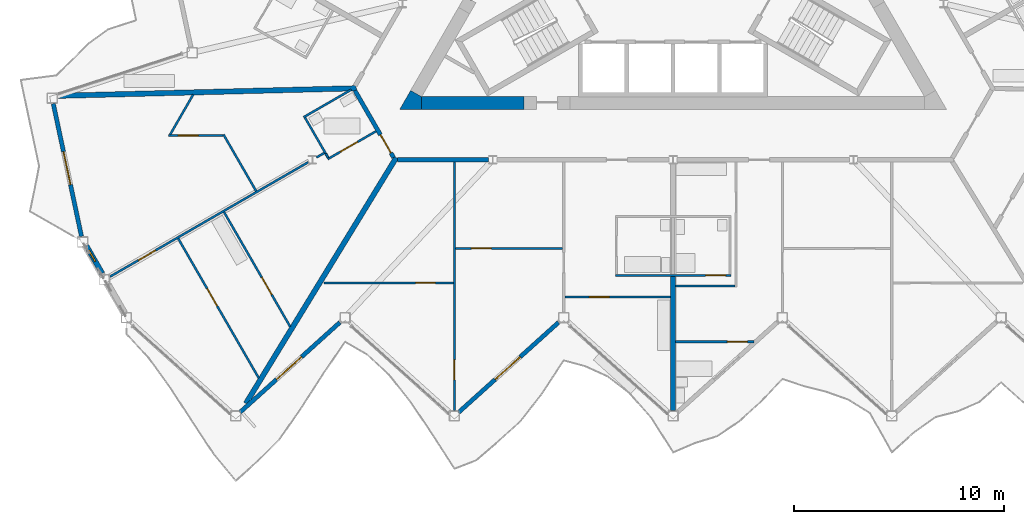
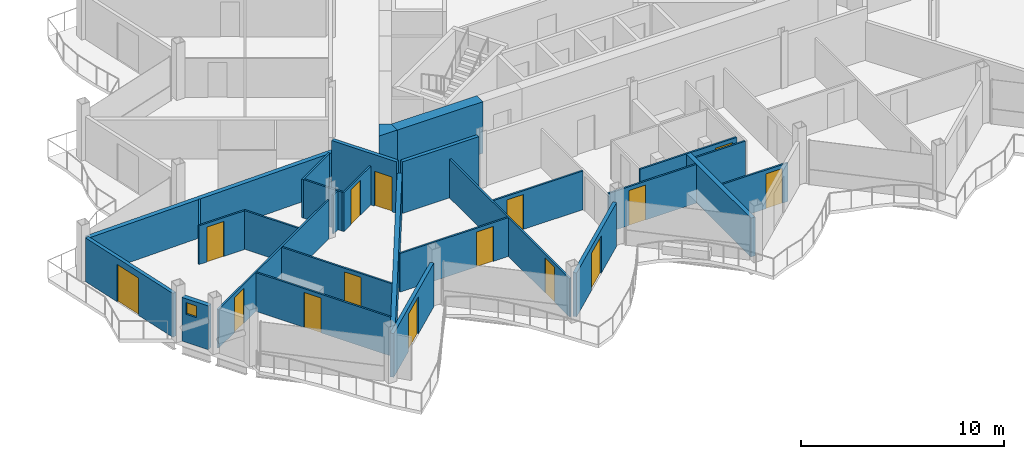
# One storey, part 12 of 26: 29 walls, 15 doors, 1 window, 16 openings.
"""IFC4 building model written with IfcOpenShell, lengths in metres."""

from ifc_helpers import new_model, si_unit, direction, frame, frame_2d, origin, place, context, subcontext, project, spatial, polyline, rectangle, outline, extrude, material, layer, layer_set, type_object, element, fill, save


model = new_model("IFC4")

# Units and contexts
model_context = context("Model", 3, precision=1e-05, world=origin(), true_north=direction((0.0, 1.0)))
body_context = subcontext(model_context, "Body", "Model", "MODEL_VIEW")
ifc_project = project(units=[si_unit("LENGTHUNIT", "METRE"), si_unit("AREAUNIT", "SQUARE_METRE"), si_unit("VOLUMEUNIT", "CUBIC_METRE"), si_unit("PLANEANGLEUNIT", "RADIAN"), si_unit("MASSUNIT", "GRAM", prefix="KILO")], contexts=[model_context])

# Site, building, storey
site_placement = place(None, origin())
site = spatial("IfcSite", under=ifc_project, at=site_placement, CompositionType="ELEMENT")
building_placement = place(site_placement, origin())
building = spatial("IfcBuilding", under=site, at=building_placement, Name="Cormorant Prow Tower", CompositionType="ELEMENT")
storey_placement = place(building_placement, frame((0.0, 0.0, 401.800048828125)))
storey = spatial("IfcBuildingStorey", under=building, at=storey_placement, Name="L92", CompositionType="ELEMENT", Elevation=401.800048828125)

# Walls
ifc_material_1 = material(Name="Concrete 8000 psi", Category="concrete")
ifc_layer_1 = layer(ifc_material_1, 0.60009765625)
ifc_layer_set_1 = layer_set([ifc_layer_1], Name="Concrete 8000 psi")
wall_type_1 = type_object("IfcWallType", Name="Core shear wall 600", PredefinedType="SHEAR", material=ifc_layer_set_1)
wall_1_placement = place(storey_placement, frame((-11.960693359375, -7.20556640625, 0.0), z_axis=(0.0, 0.0, 1.0), x_axis=(1.0, 0.0, 0.0)))
element("IfcWall", 1, at=wall_1_placement, inside=storey, type_object=wall_type_1, Name="Core wall", PredefinedType="SHEAR", context=body_context, shape_type="SweptSolid", body=[
    extrude(rectangle(XDim=4.868408203125, YDim=0.60009765625, at=frame_2d((2.43408203125, 0.0))), origin(), (0.0, 0.0, 1.0), 3.099853515625),
])
wall_2_placement = place(storey_placement, origin())
element("IfcWall", 2, at=wall_2_placement, inside=storey, type_object=wall_type_1, Name="Core wall corner", PredefinedType="SHEAR", context=body_context, shape_type="SweptSolid", body=[
    extrude(outline(polyline([(-12.48046875, -6.605712890625), (-11.960693359375, -6.905517578125), (-11.960693359375, -7.505615234375), (-13.0, -7.505615234375), (-12.48046875, -6.605712890625)])), origin(), (0.0, 0.0, 1.0), 3.099853515625),
])
ifc_material_2 = material(Name="Gypsum board corridor wall")
ifc_layer_2 = layer(ifc_material_2, 0.199951171875)
ifc_layer_set_2 = layer_set([ifc_layer_2], Name="Gypsum board corridor wall")
wall_type_2 = type_object("IfcWallType", Name="Corridor wall 200", PredefinedType="PARTITIONING", material=ifc_layer_set_2)
wall_3_placement = place(storey_placement, frame((-13.10595703125, -9.905517578125, 0.0), z_axis=(0.0, 0.0, 1.0), x_axis=(1.0, 0.0, 0.0)))
element("IfcWall", 3, at=wall_3_placement, inside=storey, type_object=wall_type_2, Name="Corridor wall", PredefinedType="PARTITIONING", context=body_context, shape_type="SweptSolid", body=[
    extrude(rectangle(XDim=4.33056640625, YDim=0.199951171875, at=frame_2d((2.165283203125, 0.0))), origin(), (0.0, 0.0, 1.0), 3.099853515625),
])

# Wall, opening, door
wall_4_placement = place(storey_placement, frame((-15.13134765625, -6.61376953125, 0.0), z_axis=(0.0, 0.0, 1.0), x_axis=(0.499967746641, -0.866044024469, 0.0)))
wall_4 = element("IfcWall", 4, at=wall_4_placement, inside=storey, type_object=wall_type_2, Name="Corridor wall", PredefinedType="PARTITIONING", context=body_context, shape_type="SweptSolid", body=[
    extrude(rectangle(XDim=3.676025390625, YDim=0.199951171875, at=frame_2d((1.837890625, 0.0))), origin(), (0.0, 0.0, 1.0), 3.099853515625),
])
opening_1_placement = place(wall_4_placement, frame((2.426025390625, 0.0, 0.0)))
opening_1 = element("IfcOpeningElement", 5, at=opening_1_placement, cuts=wall_4, Name="Opening L92-F54", PredefinedType="OPENING", context=body_context, shape_type="SweptSolid", body=[
    extrude(rectangle(XDim=1.0, YDim=2.10009765625, at=frame_2d((0.5, 1.050048828125))), frame((0.0, 0.10986328125, 0.0), z_axis=(0.0, -1.0, 0.0), x_axis=(1.0, 0.0, 0.0)), (0.0, 0.0, 1.0), 0.219970703125),
])
ifc_material_3 = material(Name="Timber door leaf", Category="wood")
door_type_1 = type_object("IfcDoorType", Name="Flat or room entrance door 1000x2100", OperationType="NOTDEFINED", PredefinedType="DOOR", material=ifc_material_3)
door_1_placement = place(opening_1_placement, origin())
door_1 = element("IfcDoor", 6, at=door_1_placement, inside=storey, type_object=door_type_1, Name="Living room door", OperationType="SINGLE_SWING_RIGHT", OverallHeight=2.10009765625, OverallWidth=1.0, PredefinedType="DOOR", context=body_context, shape_type="SweptSolid", body=[
    extrude(rectangle(XDim=1.0, YDim=2.10009765625, at=frame_2d((0.5, 1.050048828125))), frame((0.0, 0.02490234375, 0.0), z_axis=(0.0, -1.0, 0.0), x_axis=(1.0, 0.0, 0.0)), (0.0, 0.0, 1.0), 0.050048828125),
])
fill(opening_1, door_1)

ifc_material_4 = material(Name="Gypsum board partition")
ifc_layer_3 = layer(ifc_material_4, 0.10009765625)
ifc_layer_set_3 = layer_set([ifc_layer_3], Name="Gypsum board partition")
wall_type_3 = type_object("IfcWallType", Name="Internal partition 100", PredefinedType="PARTITIONING", material=ifc_layer_set_3)
wall_5_placement = place(storey_placement, frame((-10.39990234375, -21.827880859375, 0.0), z_axis=(0.0, 0.0, 1.0), x_axis=(0.0, 1.0, 0.0)))
wall_5 = element("IfcWall", 7, at=wall_5_placement, inside=storey, type_object=wall_type_3, Name="Internal partition", PredefinedType="PARTITIONING", context=body_context, shape_type="SweptSolid", body=[
    extrude(rectangle(XDim=11.822265625, YDim=0.10009765625, at=frame_2d((5.9111328125, 0.0))), origin(), (0.0, 0.0, 1.0), 2.330078125),
])
opening_2_placement = place(wall_5_placement, frame((1.45849609375, 0.0, 0.0)))
opening_2 = element("IfcOpeningElement", 8, at=opening_2_placement, cuts=wall_5, Name="Opening L92-F06", PredefinedType="OPENING", context=body_context, shape_type="SweptSolid", body=[
    extrude(rectangle(XDim=0.949951171875, YDim=2.10009765625, at=frame_2d((0.47509765625, 1.050048828125))), frame((0.0, 0.06005859375, 0.0), z_axis=(0.0, -1.0, 0.0), x_axis=(1.0, 0.0, 0.0)), (0.0, 0.0, 1.0), 0.1201171875),
])
ifc_material_5 = material(Name="Timber door leaf", Category="wood")
door_type_2 = type_object("IfcDoorType", Name="Bathroom door 950x2100", OperationType="NOTDEFINED", PredefinedType="DOOR", material=ifc_material_5)
door_2_placement = place(opening_2_placement, origin())
door_2 = element("IfcDoor", 9, at=door_2_placement, inside=storey, type_object=door_type_2, Name="Bedroom door", OperationType="SINGLE_SWING_LEFT", OverallHeight=2.10009765625, OverallWidth=0.949951171875, PredefinedType="DOOR", context=body_context, shape_type="SweptSolid", body=[
    extrude(rectangle(XDim=0.949951171875, YDim=2.10009765625, at=frame_2d((0.47509765625, 1.050048828125))), frame((0.0, 0.02490234375, 0.0), z_axis=(0.0, -1.0, 0.0), x_axis=(1.0, 0.0, 0.0)), (0.0, 0.0, 1.0), 0.050048828125),
])
fill(opening_2, door_2)

wall_6_placement = place(storey_placement, frame((-26.77685546875, -15.459716796875, 0.0), z_axis=(0.0, 0.0, 1.0), x_axis=(0.866019680922, 0.500009912158, 0.0)))
wall_6 = element("IfcWall", 10, at=wall_6_placement, inside=storey, type_object=wall_type_3, Name="Internal partition", PredefinedType="PARTITIONING", context=body_context, shape_type="SweptSolid", body=[
    extrude(rectangle(XDim=10.880615234375, YDim=0.10009765625, at=frame_2d((5.4404296875, 0.0))), origin(), (0.0, 0.0, 1.0), 2.330078125),
])
opening_3_placement = place(wall_6_placement, frame((1.55419921875, 0.0, 0.0)))
opening_3 = element("IfcOpeningElement", 11, at=opening_3_placement, cuts=wall_6, Name="Opening L92-F58", PredefinedType="OPENING", context=body_context, shape_type="SweptSolid", body=[
    extrude(rectangle(XDim=0.949951171875, YDim=2.10009765625, at=frame_2d((0.47509765625, 1.050048828125))), frame((0.0, 0.06005859375, 0.0), z_axis=(0.0, -1.0, 0.0), x_axis=(1.0, 0.0, 0.0)), (0.0, 0.0, 1.0), 0.1201171875),
])
door_3_placement = place(opening_3_placement, origin())
door_3 = element("IfcDoor", 12, at=door_3_placement, inside=storey, type_object=door_type_2, Name="Dining room door", OperationType="SINGLE_SWING_RIGHT", OverallHeight=2.10009765625, OverallWidth=0.949951171875, PredefinedType="DOOR", context=body_context, shape_type="SweptSolid", body=[
    extrude(rectangle(XDim=0.949951171875, YDim=2.10009765625, at=frame_2d((0.47509765625, 1.050048828125))), frame((0.0, 0.02490234375, 0.0), z_axis=(0.0, -1.0, 0.0), x_axis=(1.0, 0.0, 0.0)), (0.0, 0.0, 1.0), 0.050048828125),
])
fill(opening_3, door_3)

wall_7_placement = place(storey_placement, frame((-23.5380859375, -13.6474609375, 0.0), z_axis=(0.0, 0.0, 1.0), x_axis=(0.499977115003, -0.86603861604, 0.0)))
wall_7 = element("IfcWall", 13, at=wall_7_placement, inside=storey, type_object=wall_type_3, Name="Internal partition", PredefinedType="PARTITIONING", context=body_context, shape_type="SweptSolid", body=[
    extrude(rectangle(XDim=7.662353515625, YDim=0.10009765625, at=frame_2d((3.8310546875, 0.0))), origin(), (0.0, 0.0, 1.0), 2.330078125),
])
opening_4_placement = place(wall_7_placement, frame((2.755126953125, 0.0, 0.0)))
opening_4 = element("IfcOpeningElement", 14, at=opening_4_placement, cuts=wall_7, Name="Opening L92-F57", PredefinedType="OPENING", context=body_context, shape_type="SweptSolid", body=[
    extrude(rectangle(XDim=0.949951171875, YDim=2.10009765625, at=frame_2d((0.47509765625, 1.050048828125))), frame((0.0, 0.06005859375, 0.0), z_axis=(0.0, -1.0, 0.0), x_axis=(1.0, 0.0, 0.0)), (0.0, 0.0, 1.0), 0.1201171875),
])
door_4_placement = place(opening_4_placement, origin())
door_4 = element("IfcDoor", 15, at=door_4_placement, inside=storey, type_object=door_type_2, Name="Kitchen door", OperationType="SINGLE_SWING_LEFT", OverallHeight=2.10009765625, OverallWidth=0.949951171875, PredefinedType="DOOR", context=body_context, shape_type="SweptSolid", body=[
    extrude(rectangle(XDim=0.949951171875, YDim=2.10009765625, at=frame_2d((0.47509765625, 1.050048828125))), frame((0.0, 0.02490234375, 0.0), z_axis=(0.0, -1.0, 0.0), x_axis=(1.0, 0.0, 0.0)), (0.0, 0.0, 1.0), 0.050048828125),
])
fill(opening_4, door_4)

wall_8_placement = place(storey_placement, frame((-21.35888671875, -12.389404296875, 0.0), z_axis=(0.0, 0.0, 1.0), x_axis=(0.500006767202, -0.866021496703, 0.0)))
wall_8 = element("IfcWall", 16, at=wall_8_placement, inside=storey, type_object=wall_type_3, Name="Internal partition", PredefinedType="PARTITIONING", context=body_context, shape_type="SweptSolid", body=[
    extrude(rectangle(XDim=6.29345703125, YDim=0.10009765625, at=frame_2d((3.146728515625, 0.0))), origin(), (0.0, 0.0, 1.0), 2.330078125),
])
opening_5_placement = place(wall_8_placement, frame((3.579833984375, 0.0, 0.0)))
opening_5 = element("IfcOpeningElement", 17, at=opening_5_placement, cuts=wall_8, Name="Opening L92-F56", PredefinedType="OPENING", context=body_context, shape_type="SweptSolid", body=[
    extrude(rectangle(XDim=0.949951171875, YDim=2.10009765625, at=frame_2d((0.47509765625, 1.050048828125))), frame((0.0, 0.06005859375, 0.0), z_axis=(0.0, -1.0, 0.0), x_axis=(1.0, 0.0, 0.0)), (0.0, 0.0, 1.0), 0.1201171875),
])
door_5_placement = place(opening_5_placement, origin())
door_5 = element("IfcDoor", 18, at=door_5_placement, inside=storey, type_object=door_type_2, Name="Living room door", OperationType="SINGLE_SWING_LEFT", OverallHeight=2.10009765625, OverallWidth=0.949951171875, PredefinedType="DOOR", context=body_context, shape_type="SweptSolid", body=[
    extrude(rectangle(XDim=0.949951171875, YDim=2.10009765625, at=frame_2d((0.47509765625, 1.050048828125))), frame((0.0, 0.02490234375, 0.0), z_axis=(0.0, -1.0, 0.0), x_axis=(1.0, 0.0, 0.0)), (0.0, 0.0, 1.0), 0.050048828125),
])
fill(opening_5, door_5)

wall_9_placement = place(storey_placement, frame((-16.60791015625, -15.7548828125, 0.0), z_axis=(0.0, 0.0, 1.0), x_axis=(1.0, 0.0, 0.0)))
wall_9 = element("IfcWall", 19, at=wall_9_placement, inside=storey, type_object=wall_type_3, Name="Internal partition", PredefinedType="PARTITIONING", context=body_context, shape_type="SweptSolid", body=[
    extrude(rectangle(XDim=6.157958984375, YDim=0.10009765625, at=frame_2d((3.0791015625, 0.0))), origin(), (0.0, 0.0, 1.0), 2.330078125),
])
opening_6_placement = place(wall_9_placement, frame((4.35693359375, 0.0, 0.0)))
opening_6 = element("IfcOpeningElement", 20, at=opening_6_placement, cuts=wall_9, Name="Opening L92-F07", PredefinedType="OPENING", context=body_context, shape_type="SweptSolid", body=[
    extrude(rectangle(XDim=0.949951171875, YDim=2.10009765625, at=frame_2d((0.47509765625, 1.050048828125))), frame((0.0, 0.06005859375, 0.0), z_axis=(0.0, -1.0, 0.0), x_axis=(1.0, 0.0, 0.0)), (0.0, 0.0, 1.0), 0.1201171875),
])
door_6_placement = place(opening_6_placement, origin())
door_6 = element("IfcDoor", 21, at=door_6_placement, inside=storey, type_object=door_type_2, Name="Bedroom door", OperationType="SINGLE_SWING_RIGHT", OverallHeight=2.10009765625, OverallWidth=0.949951171875, PredefinedType="DOOR", context=body_context, shape_type="SweptSolid", body=[
    extrude(rectangle(XDim=0.949951171875, YDim=2.10009765625, at=frame_2d((0.47509765625, 1.050048828125))), frame((0.0, 0.02490234375, 0.0), z_axis=(0.0, -1.0, 0.0), x_axis=(1.0, 0.0, 0.0)), (0.0, 0.0, 1.0), 0.050048828125),
])
fill(opening_6, door_6)

wall_10_placement = place(storey_placement, frame((-2.75, -15.405517578125, 0.0), z_axis=(0.0, 0.0, 1.0), x_axis=(1.0, 0.0, 0.0)))
wall_10 = element("IfcWall", 22, at=wall_10_placement, inside=storey, type_object=wall_type_3, Name="Internal partition", PredefinedType="PARTITIONING", context=body_context, shape_type="SweptSolid", body=[
    extrude(rectangle(XDim=5.5, YDim=0.10009765625, at=frame_2d((2.75, 0.0))), origin(), (0.0, 0.0, 1.0), 2.330078125),
])
opening_7_placement = place(wall_10_placement, frame((4.300048828125, 0.0, 0.0)))
opening_7 = element("IfcOpeningElement", 23, at=opening_7_placement, cuts=wall_10, Name="Opening L92-F15", PredefinedType="OPENING", context=body_context, shape_type="SweptSolid", body=[
    extrude(rectangle(XDim=0.949951171875, YDim=2.10009765625, at=frame_2d((0.47509765625, 1.050048828125))), frame((0.0, 0.06005859375, 0.0), z_axis=(0.0, -1.0, 0.0), x_axis=(1.0, 0.0, 0.0)), (0.0, 0.0, 1.0), 0.1201171875),
])
door_7_placement = place(opening_7_placement, origin())
door_7 = element("IfcDoor", 24, at=door_7_placement, inside=storey, type_object=door_type_2, Name="Kitchen door", OperationType="SINGLE_SWING_RIGHT", OverallHeight=2.10009765625, OverallWidth=0.949951171875, PredefinedType="DOOR", context=body_context, shape_type="SweptSolid", body=[
    extrude(rectangle(XDim=0.949951171875, YDim=2.10009765625, at=frame_2d((0.47509765625, 1.050048828125))), frame((0.0, 0.02490234375, 0.0), z_axis=(0.0, -1.0, 0.0), x_axis=(1.0, 0.0, 0.0)), (0.0, 0.0, 1.0), 0.050048828125),
])
fill(opening_7, door_7)

wall_11_placement = place(storey_placement, frame((-5.14990234375, -16.428466796875, 0.0), z_axis=(0.0, 0.0, 1.0), x_axis=(1.0, 0.0, 0.0)))
wall_11 = element("IfcWall", 25, at=wall_11_placement, inside=storey, type_object=wall_type_3, Name="Internal partition", PredefinedType="PARTITIONING", context=body_context, shape_type="SweptSolid", body=[
    extrude(rectangle(XDim=5.02490234375, YDim=0.10009765625, at=frame_2d((2.512451171875, 0.0))), origin(), (0.0, 0.0, 1.0), 2.330078125),
])
opening_8_placement = place(wall_11_placement, frame((1.169189453125, 0.0, 0.0)))
opening_8 = element("IfcOpeningElement", 26, at=opening_8_placement, cuts=wall_11, Name="Opening L92-F03", PredefinedType="OPENING", context=body_context, shape_type="SweptSolid", body=[
    extrude(rectangle(XDim=0.949951171875, YDim=2.10009765625, at=frame_2d((0.47509765625, 1.050048828125))), frame((0.0, 0.06005859375, 0.0), z_axis=(0.0, -1.0, 0.0), x_axis=(1.0, 0.0, 0.0)), (0.0, 0.0, 1.0), 0.1201171875),
])
door_8_placement = place(opening_8_placement, origin())
door_8 = element("IfcDoor", 27, at=door_8_placement, inside=storey, type_object=door_type_2, Name="Living room door", OperationType="SINGLE_SWING_RIGHT", OverallHeight=2.10009765625, OverallWidth=0.949951171875, PredefinedType="DOOR", context=body_context, shape_type="SweptSolid", body=[
    extrude(rectangle(XDim=0.949951171875, YDim=2.10009765625, at=frame_2d((0.47509765625, 1.050048828125))), frame((0.0, 0.02490234375, 0.0), z_axis=(0.0, -1.0, 0.0), x_axis=(1.0, 0.0, 0.0)), (0.0, 0.0, 1.0), 0.050048828125),
])
fill(opening_8, door_8)

wall_12_placement = place(storey_placement, frame((-10.35009765625, -14.12060546875, 0.0), z_axis=(0.0, 0.0, 1.0), x_axis=(1.0, 0.0, 0.0)))
wall_12 = element("IfcWall", 28, at=wall_12_placement, inside=storey, type_object=wall_type_3, Name="Internal partition", PredefinedType="PARTITIONING", context=body_context, shape_type="SweptSolid", body=[
    extrude(rectangle(XDim=5.10009765625, YDim=0.10009765625, at=frame_2d((2.550048828125, 0.0))), origin(), (0.0, 0.0, 1.0), 2.330078125),
])
opening_9_placement = place(wall_12_placement, frame((0.7568359375, 0.0, 0.0)))
opening_9 = element("IfcOpeningElement", 29, at=opening_9_placement, cuts=wall_12, Name="Opening L92-F05", PredefinedType="OPENING", context=body_context, shape_type="SweptSolid", body=[
    extrude(rectangle(XDim=0.949951171875, YDim=2.10009765625, at=frame_2d((0.47509765625, 1.050048828125))), frame((0.0, 0.06005859375, 0.0), z_axis=(0.0, -1.0, 0.0), x_axis=(1.0, 0.0, 0.0)), (0.0, 0.0, 1.0), 0.1201171875),
])
door_9_placement = place(opening_9_placement, origin())
door_9 = element("IfcDoor", 30, at=door_9_placement, inside=storey, type_object=door_type_2, Name="Bedroom door", OperationType="SINGLE_SWING_LEFT", OverallHeight=2.10009765625, OverallWidth=0.949951171875, PredefinedType="DOOR", context=body_context, shape_type="SweptSolid", body=[
    extrude(rectangle(XDim=0.949951171875, YDim=2.10009765625, at=frame_2d((0.47509765625, 1.050048828125))), frame((0.0, 0.02490234375, 0.0), z_axis=(0.0, -1.0, 0.0), x_axis=(1.0, 0.0, 0.0)), (0.0, 0.0, 1.0), 0.050048828125),
])
fill(opening_9, door_9)

wall_13_placement = place(storey_placement, frame((0.125, -18.555908203125, 0.0), z_axis=(0.0, 0.0, 1.0), x_axis=(1.0, 0.0, 0.0)))
wall_13 = element("IfcWall", 31, at=wall_13_placement, inside=storey, type_object=wall_type_3, Name="Internal partition", PredefinedType="PARTITIONING", context=body_context, shape_type="SweptSolid", body=[
    extrude(rectangle(XDim=3.7265625, YDim=0.10009765625, at=frame_2d((1.86328125, 0.0))), origin(), (0.0, 0.0, 1.0), 2.330078125),
])
opening_10_placement = place(wall_13_placement, frame((2.455810546875, 0.0, 0.0)))
opening_10 = element("IfcOpeningElement", 32, at=opening_10_placement, cuts=wall_13, Name="Opening L92-F09", PredefinedType="OPENING", context=body_context, shape_type="SweptSolid", body=[
    extrude(rectangle(XDim=0.949951171875, YDim=2.10009765625, at=frame_2d((0.47509765625, 1.050048828125))), frame((0.0, 0.06005859375, 0.0), z_axis=(0.0, -1.0, 0.0), x_axis=(1.0, 0.0, 0.0)), (0.0, 0.0, 1.0), 0.1201171875),
])
door_10_placement = place(opening_10_placement, origin())
door_10 = element("IfcDoor", 33, at=door_10_placement, inside=storey, type_object=door_type_2, Name="Living room door", OperationType="SINGLE_SWING_RIGHT", OverallHeight=2.10009765625, OverallWidth=0.949951171875, PredefinedType="DOOR", context=body_context, shape_type="SweptSolid", body=[
    extrude(rectangle(XDim=0.949951171875, YDim=2.10009765625, at=frame_2d((0.47509765625, 1.050048828125))), frame((0.0, 0.02490234375, 0.0), z_axis=(0.0, -1.0, 0.0), x_axis=(1.0, 0.0, 0.0)), (0.0, 0.0, 1.0), 0.050048828125),
])
fill(opening_10, door_10)

# Walls
wall_14_placement = place(storey_placement, frame((-21.382080078125, -8.704833984375, 0.0), z_axis=(0.0, 0.0, 1.0), x_axis=(0.50001536203, -0.866016534331, 0.0)))
element("IfcWall", 34, at=wall_14_placement, inside=storey, type_object=wall_type_3, Name="Internal partition", PredefinedType="PARTITIONING", context=body_context, shape_type="SweptSolid", body=[
    extrude(rectangle(XDim=3.1025390625, YDim=0.10009765625, at=frame_2d((1.55126953125, 0.0))), origin(), (0.0, 0.0, 1.0), 2.330078125),
])
wall_15_placement = place(storey_placement, frame((0.125, -15.905517578125, 0.0), z_axis=(0.0, 0.0, 1.0), x_axis=(1.0, 0.0, 0.0)))
element("IfcWall", 35, at=wall_15_placement, inside=storey, type_object=wall_type_3, Name="Internal partition", PredefinedType="PARTITIONING", context=body_context, shape_type="SweptSolid", body=[
    extrude(rectangle(XDim=2.824951171875, YDim=0.10009765625, at=frame_2d((1.41259765625, 0.0))), origin(), (0.0, 0.0, 1.0), 2.330078125),
])
wall_16_placement = place(storey_placement, frame((-17.575439453125, -7.880615234375, 0.0), z_axis=(0.0, 0.0, 1.0), x_axis=(0.866013657776, 0.500020344131, 0.0)))
element("IfcWall", 36, at=wall_16_placement, inside=storey, type_object=wall_type_3, Name="Internal partition", PredefinedType="PARTITIONING", context=body_context, shape_type="SweptSolid", body=[
    extrude(rectangle(XDim=2.625, YDim=0.10009765625, at=frame_2d((1.3125, 0.0))), origin(), (0.0, 0.0, 1.0), 2.330078125),
])

# Wall, opening, door
wall_17_placement = place(storey_placement, frame((-16.4248046875, -9.8720703125, 0.0), z_axis=(0.0, 0.0, 1.0), x_axis=(0.865999882481, 0.50004420159, 0.0)))
wall_17 = element("IfcWall", 37, at=wall_17_placement, inside=storey, type_object=wall_type_3, Name="Internal partition", PredefinedType="PARTITIONING", context=body_context, shape_type="SweptSolid", body=[
    extrude(rectangle(XDim=2.649169921875, YDim=0.10009765625, at=frame_2d((1.32470703125, 0.0))), origin(), (0.0, 0.0, 1.0), 2.330078125),
])
opening_11_placement = place(wall_17_placement, frame((0.68603515625, 0.0, 0.0)))
opening_11 = element("IfcOpeningElement", 38, at=opening_11_placement, cuts=wall_17, Name="Opening L92-F55", PredefinedType="OPENING", context=body_context, shape_type="SweptSolid", body=[
    extrude(rectangle(XDim=0.949951171875, YDim=2.10009765625, at=frame_2d((0.47509765625, 1.050048828125))), frame((0.0, 0.06005859375, 0.0), z_axis=(0.0, -1.0, 0.0), x_axis=(1.0, 0.0, 0.0)), (0.0, 0.0, 1.0), 0.1201171875),
])
door_11_placement = place(opening_11_placement, origin())
door_11 = element("IfcDoor", 39, at=door_11_placement, inside=storey, type_object=door_type_2, Name="Living room door", OperationType="SINGLE_SWING_LEFT", OverallHeight=2.10009765625, OverallWidth=0.949951171875, PredefinedType="DOOR", context=body_context, shape_type="SweptSolid", body=[
    extrude(rectangle(XDim=0.949951171875, YDim=2.10009765625, at=frame_2d((0.47509765625, 1.050048828125))), frame((0.0, 0.02490234375, 0.0), z_axis=(0.0, -1.0, 0.0), x_axis=(1.0, 0.0, 0.0)), (0.0, 0.0, 1.0), 0.050048828125),
])
fill(opening_11, door_11)

wall_18_placement = place(storey_placement, frame((-23.99658203125, -8.748046875, 0.0), z_axis=(0.0, 0.0, 1.0), x_axis=(1.0, 0.0, 0.0)))
wall_18 = element("IfcWall", 40, at=wall_18_placement, inside=storey, type_object=wall_type_3, Name="Internal partition", PredefinedType="PARTITIONING", context=body_context, shape_type="SweptSolid", body=[
    extrude(rectangle(XDim=2.589599609375, YDim=0.10009765625, at=frame_2d((1.294921875, 0.0))), origin(), (0.0, 0.0, 1.0), 2.330078125),
])
opening_12_placement = place(wall_18_placement, frame((0.457275390625, 0.0, 0.0)))
opening_12 = element("IfcOpeningElement", 41, at=opening_12_placement, cuts=wall_18, Name="Opening L92-F59", PredefinedType="OPENING", context=body_context, shape_type="SweptSolid", body=[
    extrude(rectangle(XDim=0.949951171875, YDim=2.10009765625, at=frame_2d((0.47509765625, 1.050048828125))), frame((0.0, 0.06005859375, 0.0), z_axis=(0.0, -1.0, 0.0), x_axis=(1.0, 0.0, 0.0)), (0.0, 0.0, 1.0), 0.1201171875),
])
door_12_placement = place(opening_12_placement, origin())
door_12 = element("IfcDoor", 42, at=door_12_placement, inside=storey, type_object=door_type_2, Name="Principal bedroom door", OperationType="SINGLE_SWING_LEFT", OverallHeight=2.10009765625, OverallWidth=0.949951171875, PredefinedType="DOOR", context=body_context, shape_type="SweptSolid", body=[
    extrude(rectangle(XDim=0.949951171875, YDim=2.10009765625, at=frame_2d((0.47509765625, 1.050048828125))), frame((0.0, 0.02490234375, 0.0), z_axis=(0.0, -1.0, 0.0), x_axis=(1.0, 0.0, 0.0)), (0.0, 0.0, 1.0), 0.050048828125),
])
fill(opening_12, door_12)

# Walls
wall_19_placement = place(storey_placement, frame((-23.921630859375, -8.704833984375, 0.0), z_axis=(0.0, 0.0, 1.0), x_axis=(0.50001794124, 0.866015045157, 0.0)))
element("IfcWall", 43, at=wall_19_placement, inside=storey, type_object=wall_type_3, Name="Internal partition", PredefinedType="PARTITIONING", context=body_context, shape_type="SweptSolid", body=[
    extrude(rectangle(XDim=2.193359375, YDim=0.10009765625, at=frame_2d((1.0966796875, 0.0))), origin(), (0.0, 0.0, 1.0), 2.330078125),
])
wall_20_placement = place(storey_placement, frame((-17.507080078125, -7.89892578125, 0.0), z_axis=(0.0, 0.0, 1.0), x_axis=(0.499972416139, -0.866041328748, 0.0)))
element("IfcWall", 44, at=wall_20_placement, inside=storey, type_object=wall_type_3, Name="Internal partition", PredefinedType="PARTITIONING", context=body_context, shape_type="SweptSolid", body=[
    extrude(rectangle(XDim=1.97265625, YDim=0.10009765625, at=frame_2d((0.986328125, 0.0))), origin(), (0.0, 0.0, 1.0), 2.330078125),
])
wall_21_placement = place(storey_placement, frame((-16.9599609375, -9.791748046875, 0.0), z_axis=(0.0, 0.0, 1.0), x_axis=(0.866137484628, 0.499805820016, 0.0)))
element("IfcWall", 45, at=wall_21_placement, inside=storey, type_object=wall_type_3, Name="Internal partition", PredefinedType="PARTITIONING", context=body_context, shape_type="SweptSolid", body=[
    extrude(rectangle(XDim=0.422607421875, YDim=0.10009765625, at=frame_2d((0.21142578125, 0.0))), origin(), (0.0, 0.0, 1.0), 2.330078125),
])
wall_22_placement = place(storey_placement, frame((-16.519287109375, -9.609619140625, 0.0), z_axis=(0.0, 0.0, 1.0), x_axis=(0.50245032488, -0.864606078528, 0.0)))
element("IfcWall", 46, at=wall_22_placement, inside=storey, type_object=wall_type_3, Name="Internal partition", PredefinedType="PARTITIONING", context=body_context, shape_type="SweptSolid", body=[
    extrude(rectangle(XDim=0.224365234375, YDim=0.10009765625, at=frame_2d((0.1123046875, 0.0))), origin(), (0.0, 0.0, 1.0), 2.330078125),
])
ifc_material_6 = material(Name="Acoustic gypsum party wall")
ifc_layer_4 = layer(ifc_material_6, 0.25)
ifc_layer_set_4 = layer_set([ifc_layer_4], Name="Acoustic gypsum party wall")
wall_type_4 = type_object("IfcWallType", Name="Suite party wall 250", PredefinedType="PARTITIONING", material=ifc_layer_set_4)
wall_23_placement = place(storey_placement, frame((-29.2685546875, -6.862060546875, 0.0), z_axis=(0.0, 0.0, 1.0), x_axis=(0.999679020594, 0.025334872878, 0.0)))
element("IfcWall", 47, at=wall_23_placement, inside=storey, type_object=wall_type_4, Name="Suite party wall", PredefinedType="PARTITIONING", context=body_context, shape_type="SweptSolid", body=[
    extrude(rectangle(XDim=14.204345703125, YDim=0.25, at=frame_2d((7.10205078125, 0.0))), origin(), (0.0, 0.0, 1.0), 2.330078125),
])
wall_24_placement = place(storey_placement, frame((-20.318115234375, -21.4931640625, 0.0), z_axis=(0.0, 0.0, 1.0), x_axis=(0.52177126778, 0.853085426039, 0.0)))
element("IfcWall", 48, at=wall_24_placement, inside=storey, type_object=wall_type_4, Name="Suite party wall", PredefinedType="PARTITIONING", context=body_context, shape_type="SweptSolid", body=[
    extrude(rectangle(XDim=13.708251953125, YDim=0.25, at=frame_2d((6.85400390625, 0.0))), origin(), (0.0, 0.0, 1.0), 2.330078125),
])
wall_25_placement = place(storey_placement, frame((0.0, -21.827880859375, 0.0), z_axis=(0.0, 0.0, 1.0), x_axis=(0.0, 1.0, 0.0)))
element("IfcWall", 49, at=wall_25_placement, inside=storey, type_object=wall_type_4, Name="Suite party wall", PredefinedType="PARTITIONING", context=body_context, shape_type="SweptSolid", body=[
    extrude(rectangle(XDim=6.372314453125, YDim=0.25, at=frame_2d((3.18603515625, 0.0))), origin(), (0.0, 0.0, 1.0), 2.330078125),
])

# Wall, opening, window
ifc_material_7 = material(Name="Terracotta", Category="masonry")
ifc_layer_5 = layer(ifc_material_7, 0.25)
ifc_layer_set_5 = layer_set([ifc_layer_5], Name="Terracotta")
wall_type_5 = type_object("IfcWallType", Name="Terracotta bay wall 250", PredefinedType="SOLIDWALL", material=ifc_layer_set_5)
wall_26_placement = place(storey_placement, frame((-27.906494140625, -13.99658203125, 0.0), z_axis=(0.0, 0.0, 1.0), x_axis=(0.499931517724, -0.866064938435, 0.0)))
wall_26 = element("IfcWall", 50, at=wall_26_placement, inside=storey, type_object=wall_type_5, Name="Terracotta bay wall WSW00", PredefinedType="SOLIDWALL", context=body_context, shape_type="SweptSolid", body=[
    extrude(rectangle(XDim=1.516357421875, YDim=0.25, at=frame_2d((0.75830078125, 0.0))), origin(), (0.0, 0.0, 1.0), 2.6337890625),
])
opening_13_placement = place(wall_26_placement, frame((0.25, 0.0, 1.699951171875)))
opening_13 = element("IfcOpeningElement", 51, at=opening_13_placement, cuts=wall_26, Name="Opening WN11", PredefinedType="OPENING", context=body_context, shape_type="SweptSolid", body=[
    extrude(rectangle(XDim=0.60009765625, YDim=0.699951171875, at=frame_2d((0.300048828125, 0.35009765625))), frame((0.0, 0.135009765625, 0.0), z_axis=(0.0, -1.0, 0.0), x_axis=(1.0, 0.0, 0.0)), (0.0, 0.0, 1.0), 0.27001953125),
])
ifc_material_8 = material(Name="Aluminium 6063-T6", Category="aluminium")
window_type = type_object("IfcWindowType", Name="Corner bay window 600x700", PartitioningType="SINGLE_PANEL", PredefinedType="WINDOW", material=ifc_material_8)
window_placement = place(opening_13_placement, origin())
window = element("IfcWindow", 52, at=window_placement, inside=storey, type_object=window_type, Name="Corner bay window WSW00", OverallHeight=0.699951171875, OverallWidth=0.60009765625, PartitioningType="SINGLE_PANEL", PredefinedType="WINDOW", context=body_context, shape_type="SweptSolid", body=[
    extrude(rectangle(XDim=0.60009765625, YDim=0.699951171875, at=frame_2d((0.300048828125, 0.35009765625))), frame((0.0, 0.030029296875, 0.0), z_axis=(0.0, -1.0, 0.0), x_axis=(1.0, 0.0, 0.0)), (0.0, 0.0, 1.0), 0.06005859375),
])
fill(opening_13, window)

# Wall, opening, door
ifc_material_9 = material(Name="Terracotta", Category="masonry")
ifc_layer_6 = layer(ifc_material_9, 0.199951171875)
ifc_layer_set_6 = layer_set([ifc_layer_6], Name="Terracotta")
wall_type_6 = type_object("IfcWallType", Name="Terracotta jamb wall 200", PredefinedType="SOLIDWALL", material=ifc_layer_set_6)
wall_27_placement = place(storey_placement, frame((-20.594970703125, -21.911865234375, 0.0), z_axis=(0.0, 0.0, 1.0), x_axis=(0.743132515916, 0.669144277259, 0.0)))
wall_27 = element("IfcWall", 53, at=wall_27_placement, inside=storey, type_object=wall_type_6, Name="Terracotta jamb wall S01", PredefinedType="SOLIDWALL", context=body_context, shape_type="SweptSolid", body=[
    extrude(rectangle(XDim=6.385009765625, YDim=0.199951171875, at=frame_2d((3.1923828125, 0.0))), origin(), (0.0, 0.0, 1.0), 2.6337890625),
])
opening_14_placement = place(wall_27_placement, frame((2.332763671875, 0.0, 0.0)))
opening_14 = element("IfcOpeningElement", 54, at=opening_14_placement, cuts=wall_27, Name="Opening ED92.01", PredefinedType="OPENING", context=body_context, shape_type="SweptSolid", body=[
    extrude(rectangle(XDim=1.60009765625, YDim=2.25, at=frame_2d((0.800048828125, 1.125))), frame((0.0, 0.10986328125, 0.0), z_axis=(0.0, -1.0, 0.0), x_axis=(1.0, 0.0, 0.0)), (0.0, 0.0, 1.0), 0.219970703125),
])
ifc_material_10 = material(Name="Aluminium 6063-T6", Category="aluminium")
door_type_3 = type_object("IfcDoorType", Name="Balcony door 1600x2250", OperationType="DOUBLE_DOOR_SINGLE_SWING", PredefinedType="DOOR", material=ifc_material_10)
door_13_placement = place(opening_14_placement, origin())
door_13 = element("IfcDoor", 55, at=door_13_placement, inside=storey, type_object=door_type_3, Name="Balcony door S01 ED92.01", OperationType="DOUBLE_DOOR_SINGLE_SWING", OverallHeight=2.25, OverallWidth=1.60009765625, PredefinedType="DOOR", context=body_context, shape_type="SweptSolid", body=[
    extrude(rectangle(XDim=1.60009765625, YDim=2.25, at=frame_2d((0.800048828125, 1.125))), frame((0.0, 0.02490234375, 0.0), z_axis=(0.0, -1.0, 0.0), x_axis=(1.0, 0.0, 0.0)), (0.0, 0.0, 1.0), 0.050048828125),
])
fill(opening_14, door_13)

wall_28_placement = place(storey_placement, frame((-10.19482421875, -21.911865234375, 0.0), z_axis=(0.0, 0.0, 1.0), x_axis=(0.743132515916, 0.669144277259, 0.0)))
wall_28 = element("IfcWall", 56, at=wall_28_placement, inside=storey, type_object=wall_type_6, Name="Terracotta jamb wall S03", PredefinedType="SOLIDWALL", context=body_context, shape_type="SweptSolid", body=[
    extrude(rectangle(XDim=6.385009765625, YDim=0.199951171875, at=frame_2d((3.1923828125, 0.0))), origin(), (0.0, 0.0, 1.0), 2.6337890625),
])
opening_15_placement = place(wall_28_placement, frame((2.332763671875, 0.0, 0.0)))
opening_15 = element("IfcOpeningElement", 57, at=opening_15_placement, cuts=wall_28, Name="Opening ED92.02", PredefinedType="OPENING", context=body_context, shape_type="SweptSolid", body=[
    extrude(rectangle(XDim=1.60009765625, YDim=2.25, at=frame_2d((0.800048828125, 1.125))), frame((0.0, 0.10986328125, 0.0), z_axis=(0.0, -1.0, 0.0), x_axis=(1.0, 0.0, 0.0)), (0.0, 0.0, 1.0), 0.219970703125),
])
door_14_placement = place(opening_15_placement, origin())
door_14 = element("IfcDoor", 58, at=door_14_placement, inside=storey, type_object=door_type_3, Name="Balcony door S03 ED92.02", OperationType="DOUBLE_DOOR_SINGLE_SWING", OverallHeight=2.25, OverallWidth=1.60009765625, PredefinedType="DOOR", context=body_context, shape_type="SweptSolid", body=[
    extrude(rectangle(XDim=1.60009765625, YDim=2.25, at=frame_2d((0.800048828125, 1.125))), frame((0.0, 0.02490234375, 0.0), z_axis=(0.0, -1.0, 0.0), x_axis=(1.0, 0.0, 0.0)), (0.0, 0.0, 1.0), 0.050048828125),
])
fill(opening_15, door_14)

wall_29_placement = place(storey_placement, frame((-29.478759765625, -7.235107421875, 0.0), z_axis=(0.0, 0.0, 1.0), x_axis=(0.207932057694, -0.978143271399, 0.0)))
wall_29 = element("IfcWall", 59, at=wall_29_placement, inside=storey, type_object=wall_type_6, Name="Terracotta jamb wall WNW09", PredefinedType="SOLIDWALL", context=body_context, shape_type="SweptSolid", body=[
    extrude(rectangle(XDim=6.453125, YDim=0.199951171875, at=frame_2d((3.2265625, 0.0))), origin(), (0.0, 0.0, 1.0), 2.6337890625),
])
opening_16_placement = place(wall_29_placement, frame((2.332763671875, 0.0, 0.0)))
opening_16 = element("IfcOpeningElement", 60, at=opening_16_placement, cuts=wall_29, Name="Opening ED92.15", PredefinedType="OPENING", context=body_context, shape_type="SweptSolid", body=[
    extrude(rectangle(XDim=1.60009765625, YDim=2.25, at=frame_2d((0.800048828125, 1.125))), frame((0.0, 0.10986328125, 0.0), z_axis=(0.0, -1.0, 0.0), x_axis=(1.0, 0.0, 0.0)), (0.0, 0.0, 1.0), 0.219970703125),
])
door_15_placement = place(opening_16_placement, origin())
door_15 = element("IfcDoor", 61, at=door_15_placement, inside=storey, type_object=door_type_3, Name="Balcony door WNW09 ED92.15", OperationType="DOUBLE_DOOR_SINGLE_SWING", OverallHeight=2.25, OverallWidth=1.60009765625, PredefinedType="DOOR", context=body_context, shape_type="SweptSolid", body=[
    extrude(rectangle(XDim=1.60009765625, YDim=2.25, at=frame_2d((0.800048828125, 1.125))), frame((0.0, 0.02490234375, 0.0), z_axis=(0.0, -1.0, 0.0), x_axis=(1.0, 0.0, 0.0)), (0.0, 0.0, 1.0), 0.050048828125),
])
fill(opening_16, door_15)

save(model, "model.ifc")
